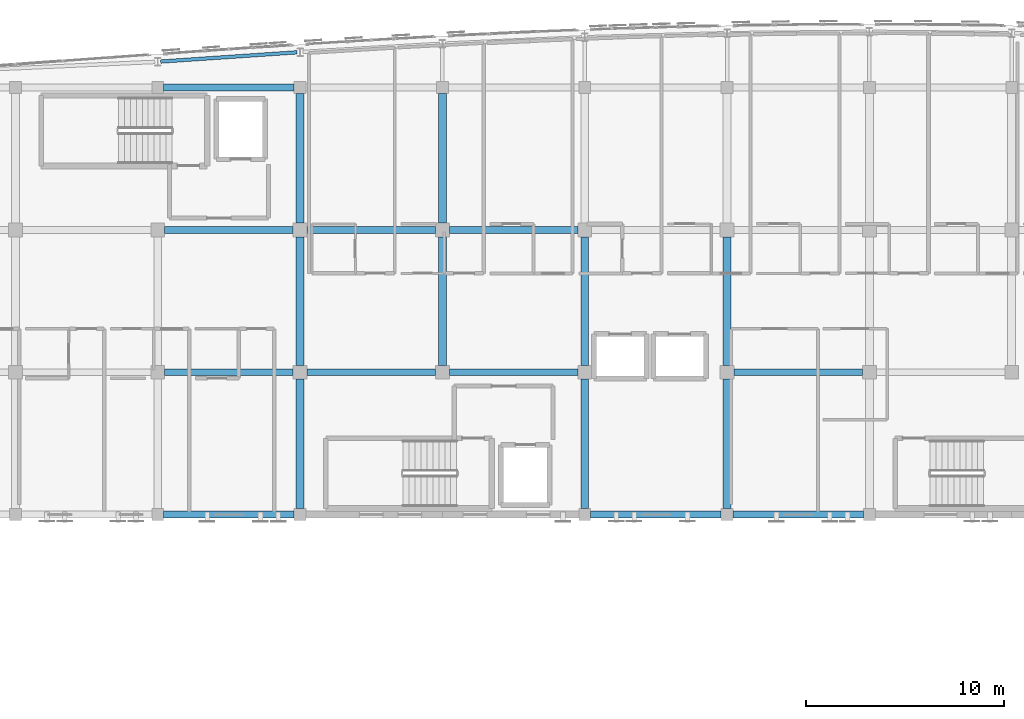
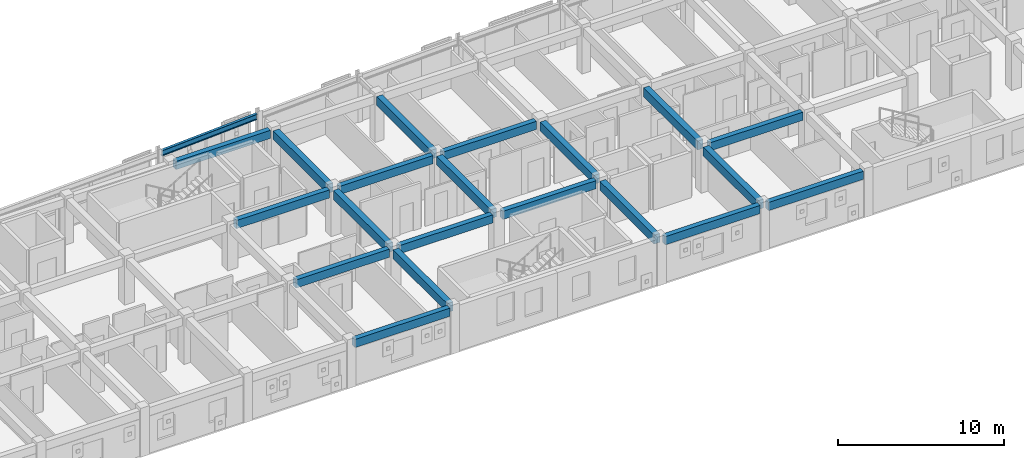
# One storey, part 12 of 50: 21 beams.
"""IFC4 building model written with IfcOpenShell, lengths in metres."""

import ifcopenshell
import ifcopenshell.guid

model = None  # the IFC model being written
_history = None  # IfcOwnerHistory: only IFC2X3 demands one
_inside = {}  # id of a spatial element -> (the spatial element, [elements in it])
_under = {}  # id of a project, library or spatial element -> (it, [spatial elements below it])
_declared = {}  # id of a project -> (the project, [libraries it declares])
_typed = {}  # id of a type object -> (the type object, [elements of that type])
_made_of = {}  # id of a material, layer set ... -> (it, [elements and type objects made of it])


def new_model(schema):
    """Start an empty IFC model of exactly this schema.

    Asked for "IFC4X3", IfcOpenShell would pick the latest addendum, in which some entities
    have other attributes; the version numbers below select the first issue.
    IFC2X3 requires an IfcOwnerHistory on every rooted entity: one is made here for all.
    """
    global model, _history
    if schema == "IFC4X3":
        model = ifcopenshell.file(schema_version=(4, 3, 0, 0))
    else:
        model = ifcopenshell.file(schema=schema)
    _inside.clear()
    _under.clear()
    _declared.clear()
    _typed.clear()
    _made_of.clear()
    _history = None
    if model.schema == "IFC2X3":
        org = make("IfcOrganization", Name="unknown")
        user = make(
            "IfcPersonAndOrganization",
            ThePerson=make("IfcPerson", FamilyName="unknown"),
            TheOrganization=org,
        )
        app = make(
            "IfcApplication",
            ApplicationDeveloper=org,
            Version="unknown",
            ApplicationFullName="unknown",
            ApplicationIdentifier="unknown",
        )
        _history = make(
            "IfcOwnerHistory",
            OwningUser=user,
            OwningApplication=app,
            ChangeAction="ADDED",
            CreationDate=0,
        )
    return model


def make(cls, **values):
    """One entity of the class cls with the attributes given. An attribute that is None is left unset."""
    return model.create_entity(
        cls, **{name: value for name, value in values.items() if value is not None}
    )


def rooted(cls, **values):
    """An entity with a GlobalId (a new one), such as an element, a storey or a relation."""
    return make(cls, GlobalId=ifcopenshell.guid.new(), OwnerHistory=_history, **values)


def si_unit(unit_type, name, prefix=None):
    """IfcSIUnit, for example si_unit("LENGTHUNIT", "METRE", prefix="MILLI")."""
    return make("IfcSIUnit", UnitType=unit_type, Prefix=prefix, Name=name)


def assignment(units):
    """IfcUnitAssignment: the units of a project."""
    return None if units is None else make("IfcUnitAssignment", Units=units)


def point(xyz):
    """IfcCartesianPoint."""
    return None if xyz is None else make("IfcCartesianPoint", Coordinates=xyz)


def direction(xyz):
    """IfcDirection."""
    return None if xyz is None else make("IfcDirection", DirectionRatios=xyz)


def frame(location, z_axis=None, x_axis=None):
    """IfcAxis2Placement3D, a coordinate frame: its origin and axes. An axis left out is left unset."""
    return make(
        "IfcAxis2Placement3D",
        Location=point(location),
        Axis=direction(z_axis),
        RefDirection=direction(x_axis),
    )


def frame_2d(location, x_axis=None):
    """IfcAxis2Placement2D, a coordinate frame in the plane: its origin and x axis."""
    return make(
        "IfcAxis2Placement2D", Location=point(location), RefDirection=direction(x_axis)
    )


def origin():
    """The frame at (0, 0, 0) with its axes left unset."""
    return frame((0.0, 0.0, 0.0))


def origin_2d():
    """The frame at (0, 0) in the plane with its x axis left unset."""
    return frame_2d((0.0, 0.0))


def place(relative_to, where):
    """IfcLocalPlacement: puts the frame where relative to a parent placement (None: the world)."""
    return make(
        "IfcLocalPlacement", PlacementRelTo=relative_to, RelativePlacement=where
    )


def context(
    kind, dimensions, precision=None, world=None, true_north=None, identifier=None
):
    """IfcGeometricRepresentationContext, for example the 3D "Model" context."""
    return make(
        "IfcGeometricRepresentationContext",
        ContextIdentifier=identifier,
        ContextType=kind,
        CoordinateSpaceDimension=dimensions,
        Precision=precision,
        WorldCoordinateSystem=world,
        TrueNorth=true_north,
    )


def subcontext(parent, identifier, kind, view, scale=None):
    """IfcGeometricRepresentationSubContext, for example "Body" below "Model"."""
    return make(
        "IfcGeometricRepresentationSubContext",
        ContextIdentifier=identifier,
        ContextType=kind,
        ParentContext=parent,
        TargetScale=scale,
        TargetView=view,
    )


def project(units=None, contexts=None):
    """IfcProject with its units and contexts."""
    return rooted(
        "IfcProject",
        Name="project",
        RepresentationContexts=contexts,
        UnitsInContext=assignment(units),
    )


def spatial(cls, under=None, at=None, **own):
    """A site, building, storey or space (cls), placed at a placement, below another one or the project."""
    s = rooted(cls, ObjectPlacement=at, **own)
    if under is not None:
        _under.setdefault(under.id(), (under, []))[1].append(s)
    return s


def profile(cls, at=None, kind="AREA", **sizes):
    """A parametric profile (cls). Its sizes go by their IFC names, for example OverallWidth=200.0."""
    return make(cls, ProfileType=kind, Position=at, **sizes)


def rectangle(**sizes):
    """IfcRectangleProfileDef."""
    return profile("IfcRectangleProfileDef", **sizes)


def i_section(**sizes):
    """IfcIShapeProfileDef."""
    return profile("IfcIShapeProfileDef", **sizes)


def extrude(swept, where, along, depth):
    """IfcExtrudedAreaSolid: the profile swept, set in the frame where, extruded along a direction by depth."""
    return make(
        "IfcExtrudedAreaSolid",
        SweptArea=swept,
        Position=where,
        ExtrudedDirection=direction(along),
        Depth=depth,
    )


def shape(context_of_items, identifier, shape_type, items):
    """IfcShapeRepresentation: the items that make up one representation, for example the "Body"."""
    return make(
        "IfcShapeRepresentation",
        ContextOfItems=context_of_items,
        RepresentationIdentifier=identifier,
        RepresentationType=shape_type,
        Items=items,
    )


def material(Name=None, Category=None):
    """IfcMaterial."""
    return make("IfcMaterial", Name=Name, Category=Category)


def material_profile(
    of_material, cross_section, Name=None, Category=None, Priority=None
):
    """IfcMaterialProfile: a cross section and its material."""
    return make(
        "IfcMaterialProfile",
        Name=Name,
        Material=of_material,
        Profile=cross_section,
        Priority=Priority,
        Category=Category,
    )


def profile_set(profiles, Name=None, composite=None):
    """IfcMaterialProfileSet."""
    return make(
        "IfcMaterialProfileSet",
        Name=Name,
        MaterialProfiles=profiles,
        CompositeProfile=composite,
    )


def made_of(thing, what):
    """Note that an element or type object is made of a material, layer set ...; save() writes the relation."""
    if what is not None:
        _made_of.setdefault(what.id(), (what, []))[1].append(thing)
    return thing


def type_object(cls, material=None, **own):
    """A type object (cls), such as IfcWallType, which elements share."""
    return made_of(rooted(cls, **own), material)


def element(
    cls,
    number,
    at=None,
    inside=None,
    cuts=None,
    type_object=None,
    material=None,
    context=None,
    identifier="Body",
    shape_type=None,
    held_by="IfcProductDefinitionShape",
    body=None,
    shapes=None,
    **own,
):
    """One element of the class cls, such as IfcWall. Its Tag is "e" and its number.

    at: its placement. inside: the storey or other place that contains it. cuts: it is an
    opening in that element (IfcRelVoidsElement). A single representation is given by context,
    identifier, shape_type and body (its items); several are given by shapes. held_by: the class
    of the entity that holds the representations. save() writes the other relations.
    """
    e = rooted(cls, Tag="e%d" % number, ObjectPlacement=at, **own)
    if body is not None:
        shapes = [shape(context, identifier, shape_type, body)]
    if shapes is not None:
        e.Representation = make(held_by, Representations=shapes)
    if inside is not None:
        _inside.setdefault(inside.id(), (inside, []))[1].append(e)
    if cuts is not None:
        rooted(
            "IfcRelVoidsElement", RelatingBuildingElement=cuts, RelatedOpeningElement=e
        )
    if type_object is not None:
        _typed.setdefault(type_object.id(), (type_object, []))[1].append(e)
    return made_of(e, material)


def aggregate(whole, parts):
    """IfcRelAggregates: a whole, such as a stair, and the parts it consists of."""
    return rooted("IfcRelAggregates", RelatingObject=whole, RelatedObjects=parts)


def save(model, path):
    """Write the relations noted so far, then the file.

    IfcRelAggregates (storeys below a building ...), IfcRelContainedInSpatialStructure (elements
    in a storey), IfcRelDefinesByType, IfcRelAssociatesMaterial and IfcRelDeclares: one each for
    every whole, place, type object, material and project.
    """
    for whole, parts in _under.values():
        aggregate(whole, parts)
    for where, things in _inside.values():
        rooted(
            "IfcRelContainedInSpatialStructure",
            RelatedElements=things,
            RelatingStructure=where,
        )
    for kind, things in _typed.values():
        rooted("IfcRelDefinesByType", RelatedObjects=things, RelatingType=kind)
    for what, things in _made_of.values():
        rooted("IfcRelAssociatesMaterial", RelatedObjects=things, RelatingMaterial=what)
    for by, libraries in _declared.values():
        rooted("IfcRelDeclares", RelatingContext=by, RelatedDefinitions=libraries)
    model.write(path)


model = new_model("IFC4")

# Units and contexts
model_context = context("Model", 3, precision=1e-05, world=origin(), true_north=direction((0.0, 1.0)))
body_context = subcontext(model_context, "Body", "Model", "MODEL_VIEW")
ifc_project = project(units=[si_unit("LENGTHUNIT", "METRE"), si_unit("AREAUNIT", "SQUARE_METRE"), si_unit("VOLUMEUNIT", "CUBIC_METRE"), si_unit("PLANEANGLEUNIT", "RADIAN"), si_unit("MASSUNIT", "GRAM", prefix="KILO")], contexts=[model_context])

# Site, building, storey
site_placement = place(None, origin())
site = spatial("IfcSite", under=ifc_project, at=site_placement, CompositionType="ELEMENT")
building_placement = place(site_placement, origin())
building = spatial("IfcBuilding", under=site, at=building_placement, Name="Carrowvane Square Congress Hotel", CompositionType="ELEMENT")
storey_placement = place(building_placement, frame((0.0, 0.0, 22.800048828125)))
storey = spatial("IfcBuildingStorey", under=building, at=storey_placement, Name="L05", CompositionType="ELEMENT", Elevation=22.800048828125)

# Beams
ifc_material_1 = material(Name="Concrete C35/45", Category="concrete")
ifc_material_profile_1 = material_profile(ifc_material_1, rectangle(XDim=0.35009765625, YDim=0.60009765625, at=origin_2d()), Name="RC 350x600")
ifc_profile_set_1 = profile_set([ifc_material_profile_1], Name="Concrete C35/45")
beam_type_1 = type_object("IfcBeamType", Name="BM-RC-350x600", PredefinedType="BEAM", material=ifc_profile_set_1)
beam_1_placement = place(storey_placement, frame((62.300048828125, 91.800048828125, 3.050048828125), z_axis=(1.0, 0.0, 0.0), x_axis=(0.0, 1.0, 0.0)))
element("IfcBeam", 1, at=beam_1_placement, inside=storey, type_object=beam_type_1, Name="L06 girder N/8-9", PredefinedType="BEAM", context=body_context, shape_type="SweptSolid", body=[
    extrude(rectangle(XDim=0.35009765625, YDim=0.60009765625, at=origin_2d()), origin(), (0.0, 0.0, 1.0), 6.599853515625),
])
beam_2_placement = place(storey_placement, frame((83.89990234375, 91.800048828125, 3.050048828125), z_axis=(1.0, 0.0, 0.0), x_axis=(0.0, 1.0, 0.0)))
element("IfcBeam", 2, at=beam_2_placement, inside=storey, type_object=beam_type_1, Name="L06 girder N/11-12", PredefinedType="BEAM", context=body_context, shape_type="SweptSolid", body=[
    extrude(rectangle(XDim=0.35009765625, YDim=0.60009765625, at=origin_2d()), origin(), (0.0, 0.0, 1.0), 6.60009765625),
])
beam_3_placement = place(storey_placement, frame((91.10009765625, 91.800048828125, 3.050048828125), z_axis=(1.0, 0.0, 0.0), x_axis=(0.0, 1.0, 0.0)))
element("IfcBeam", 3, at=beam_3_placement, inside=storey, type_object=beam_type_1, Name="L06 girder N/12-13", PredefinedType="BEAM", context=body_context, shape_type="SweptSolid", body=[
    extrude(rectangle(XDim=0.35009765625, YDim=0.60009765625, at=origin_2d()), origin(), (0.0, 0.0, 1.0), 6.599853515625),
])
for number, where, z_axis, x_axis, name in (
    (4, (62.35009765625, 99.0, 3.050048828125), (1.0, 0.0, 0.0), (0.0, 1.0, 0.0), "L06 girder P/8-9"),
    (5, (69.550048828125, 99.0, 3.050048828125), (1.0, 0.0, 0.0), (0.0, 1.0, 0.0), "L06 girder P/9-10"),
    (6, (76.75, 99.0, 3.050048828125), (1.0, 0.0, 0.0), (0.0, 1.0, 0.0), "L06 girder P/10-11"),
    (7, (91.14990234375, 99.0, 3.050048828125), (1.0, 0.0, 0.0), (0.0, 1.0, 0.0), "L06 girder P/12-13"),
    (8, (62.35009765625, 106.199951171875, 3.050048828125), (1.0, 0.0, 0.0), (0.0, 1.0, 0.0), "L06 girder Q/8-9"),
    (9, (69.550048828125, 106.199951171875, 3.050048828125), (1.0, 0.0, 0.0), (0.0, 1.0, 0.0), "L06 girder Q/9-10"),
    (10, (76.75, 106.199951171875, 3.050048828125), (1.0, 0.0, 0.0), (0.0, 1.0, 0.0), "L06 girder Q/10-11"),
):
    element("IfcBeam", number, at=place(storey_placement, frame(where, z_axis=z_axis, x_axis=x_axis)), inside=storey, type_object=beam_type_1, Name=name, PredefinedType="BEAM", context=body_context, shape_type="SweptSolid", body=[
        extrude(rectangle(XDim=0.35009765625, YDim=0.60009765625, at=origin_2d()), origin(), (0.0, 0.0, 1.0), 6.5),
    ])
beam_4_placement = place(storey_placement, frame((62.300048828125, 113.39990234375, 3.050048828125), z_axis=(1.0, 0.0, 0.0), x_axis=(0.0, 1.0, 0.0)))
element("IfcBeam", 11, at=beam_4_placement, inside=storey, type_object=beam_type_1, Name="L06 girder R/8-9", PredefinedType="BEAM", context=body_context, shape_type="SweptSolid", body=[
    extrude(rectangle(XDim=0.35009765625, YDim=0.60009765625, at=origin_2d()), origin(), (0.0, 0.0, 1.0), 6.599853515625),
])
ifc_material_2 = material(Name="Concrete C35/45", Category="concrete")
ifc_material_profile_2 = material_profile(ifc_material_2, rectangle(XDim=0.39990234375, YDim=0.64990234375, at=origin_2d()), Name="RC 400x650")
ifc_profile_set_2 = profile_set([ifc_material_profile_2], Name="Concrete C35/45")
beam_type_2 = type_object("IfcBeamType", Name="BM-RC-400x650", PredefinedType="BEAM", material=ifc_profile_set_2)
beam_5_placement = place(storey_placement, frame((69.199951171875, 92.10009765625, 3.02490234375), z_axis=(0.0, 1.0, 0.0), x_axis=(-1.0, 0.0, 0.0)))
element("IfcBeam", 12, at=beam_5_placement, inside=storey, type_object=beam_type_2, Name="L06 girder 9/N-P", PredefinedType="BEAM", context=body_context, shape_type="SweptSolid", body=[
    extrude(rectangle(XDim=0.39990234375, YDim=0.64990234375, at=origin_2d()), origin(), (0.0, 0.0, 1.0), 6.5498046875),
])
beam_6_placement = place(storey_placement, frame((69.199951171875, 99.35009765625, 3.02490234375), z_axis=(0.0, 1.0, 0.0), x_axis=(-1.0, 0.0, 0.0)))
element("IfcBeam", 13, at=beam_6_placement, inside=storey, type_object=beam_type_2, Name="L06 girder 9/P-Q", PredefinedType="BEAM", context=body_context, shape_type="SweptSolid", body=[
    extrude(rectangle(XDim=0.39990234375, YDim=0.64990234375, at=origin_2d()), origin(), (0.0, 0.0, 1.0), 6.5),
])
beam_7_placement = place(storey_placement, frame((69.199951171875, 106.550048828125, 3.02490234375), z_axis=(0.0, 1.0, 0.0), x_axis=(-1.0, 0.0, 0.0)))
element("IfcBeam", 14, at=beam_7_placement, inside=storey, type_object=beam_type_2, Name="L06 girder 9/Q-R", PredefinedType="BEAM", context=body_context, shape_type="SweptSolid", body=[
    extrude(rectangle(XDim=0.39990234375, YDim=0.64990234375, at=origin_2d()), origin(), (0.0, 0.0, 1.0), 6.550048828125),
])
beam_8_placement = place(storey_placement, frame((76.39990234375, 99.35009765625, 3.02490234375), z_axis=(0.0, 1.0, 0.0), x_axis=(-1.0, 0.0, 0.0)))
element("IfcBeam", 15, at=beam_8_placement, inside=storey, type_object=beam_type_2, Name="L06 girder 10/P-Q", PredefinedType="BEAM", context=body_context, shape_type="SweptSolid", body=[
    extrude(rectangle(XDim=0.39990234375, YDim=0.64990234375, at=origin_2d()), origin(), (0.0, 0.0, 1.0), 6.5),
])
beam_9_placement = place(storey_placement, frame((76.39990234375, 106.550048828125, 3.02490234375), z_axis=(0.0, 1.0, 0.0), x_axis=(-1.0, 0.0, 0.0)))
element("IfcBeam", 16, at=beam_9_placement, inside=storey, type_object=beam_type_2, Name="L06 girder 10/Q-R", PredefinedType="BEAM", context=body_context, shape_type="SweptSolid", body=[
    extrude(rectangle(XDim=0.39990234375, YDim=0.64990234375, at=origin_2d()), origin(), (0.0, 0.0, 1.0), 6.550048828125),
])
beam_10_placement = place(storey_placement, frame((83.60009765625, 92.10009765625, 3.02490234375), z_axis=(0.0, 1.0, 0.0), x_axis=(-1.0, 0.0, 0.0)))
element("IfcBeam", 17, at=beam_10_placement, inside=storey, type_object=beam_type_2, Name="L06 girder 11/N-P", PredefinedType="BEAM", context=body_context, shape_type="SweptSolid", body=[
    extrude(rectangle(XDim=0.39990234375, YDim=0.64990234375, at=origin_2d()), origin(), (0.0, 0.0, 1.0), 6.5498046875),
])
beam_11_placement = place(storey_placement, frame((83.60009765625, 99.35009765625, 3.02490234375), z_axis=(0.0, 1.0, 0.0), x_axis=(-1.0, 0.0, 0.0)))
element("IfcBeam", 18, at=beam_11_placement, inside=storey, type_object=beam_type_2, Name="L06 girder 11/P-Q", PredefinedType="BEAM", context=body_context, shape_type="SweptSolid", body=[
    extrude(rectangle(XDim=0.39990234375, YDim=0.64990234375, at=origin_2d()), origin(), (0.0, 0.0, 1.0), 6.5),
])
beam_12_placement = place(storey_placement, frame((90.800048828125, 92.10009765625, 3.02490234375), z_axis=(0.0, 1.0, 0.0), x_axis=(-1.0, 0.0, 0.0)))
element("IfcBeam", 19, at=beam_12_placement, inside=storey, type_object=beam_type_2, Name="L06 girder 12/N-P", PredefinedType="BEAM", context=body_context, shape_type="SweptSolid", body=[
    extrude(rectangle(XDim=0.39990234375, YDim=0.64990234375, at=origin_2d()), origin(), (0.0, 0.0, 1.0), 6.5498046875),
])
beam_13_placement = place(storey_placement, frame((90.800048828125, 99.35009765625, 3.02490234375), z_axis=(0.0, 1.0, 0.0), x_axis=(-1.0, 0.0, 0.0)))
element("IfcBeam", 20, at=beam_13_placement, inside=storey, type_object=beam_type_2, Name="L06 girder 12/P-Q", PredefinedType="BEAM", context=body_context, shape_type="SweptSolid", body=[
    extrude(rectangle(XDim=0.39990234375, YDim=0.64990234375, at=origin_2d()), origin(), (0.0, 0.0, 1.0), 6.5),
])
ifc_material_3 = material(Name="Steel S355", Category="steel")
ifc_material_profile_3 = material_profile(ifc_material_3, i_section(OverallWidth=0.1787109375, OverallDepth=0.409423828125, WebThickness=0.0087890625, FlangeThickness=0.014404296875, FilletRadius=0.01025390625, at=origin_2d()), Name="UKB 406x178x67")
ifc_profile_set_3 = profile_set([ifc_material_profile_3], Name="Steel S355")
beam_type_3 = type_object("IfcBeamType", Name="BM-ST-UKB406", PredefinedType="BEAM", material=ifc_profile_set_3)
beam_14_placement = place(storey_placement, frame((62.149658203125, 114.716064453125, 3.145263671875), z_axis=(0.997707965639, 0.067666943928, 0.0), x_axis=(-0.067666943928, 0.997707965639, 0.0)))
element("IfcBeam", 21, at=beam_14_placement, inside=storey, type_object=beam_type_3, Name="L06 curved north spandrel", PredefinedType="BEAM", context=body_context, shape_type="SweptSolid", body=[
    extrude(i_section(OverallWidth=0.1787109375, OverallDepth=0.409423828125, WebThickness=0.0087890625, FlangeThickness=0.014404296875, FilletRadius=0.01025390625, at=origin_2d()), origin(), (0.0, 0.0, 1.0), 6.91650390625),
])

save(model, "model.ifc")
